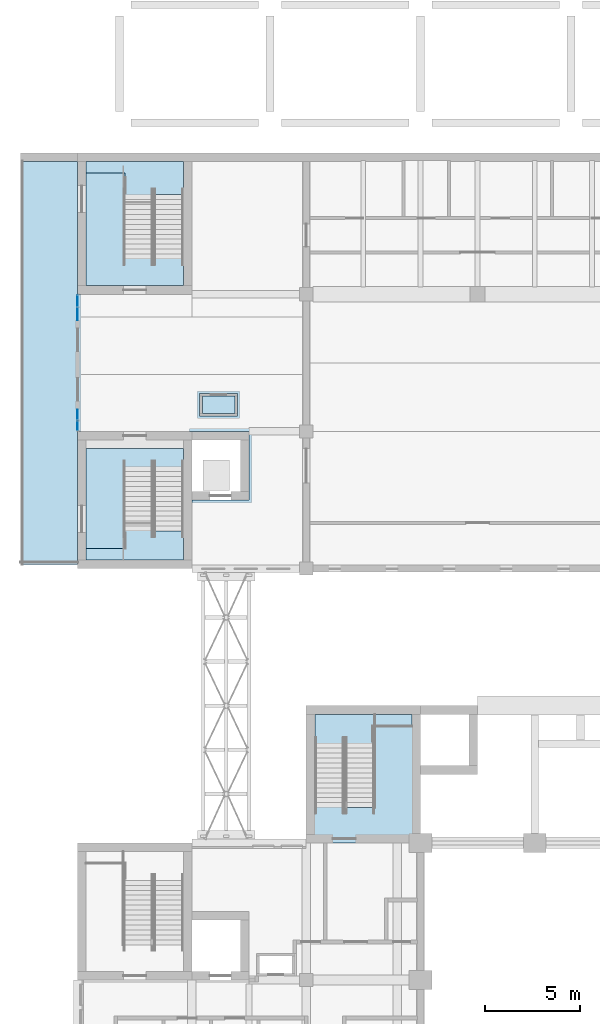
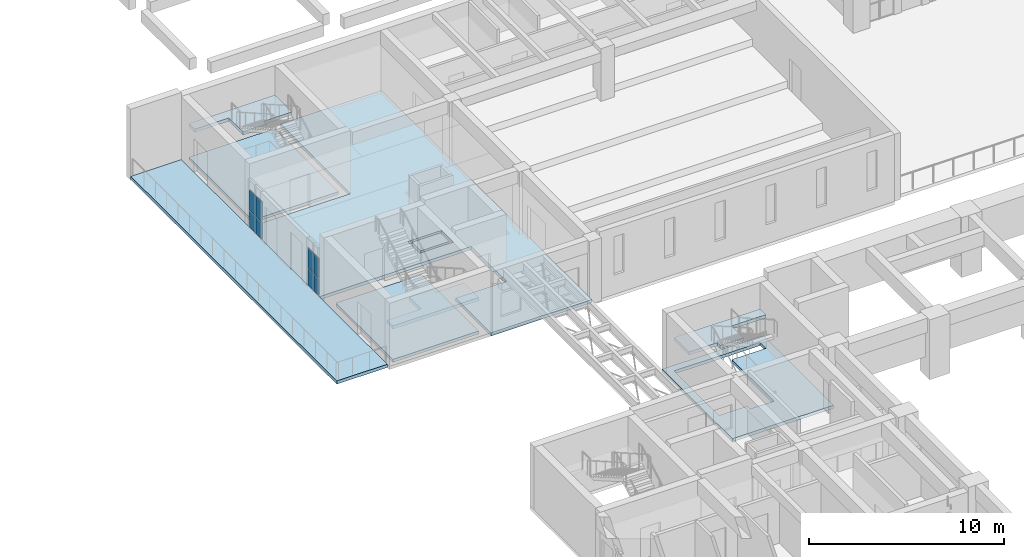
# One storey, part 48 of 103: 9 slabs, 8 plates, 5 elements without a shape of their own.
"""IFC4 building model written with IfcOpenShell, lengths in metres."""

from ifc_helpers import new_model, si_unit, direction, frame, origin, origin_2d, place, context, subcontext, project, spatial, polyline, rectangle, outline, extrude, material, layer, layer_set, type_object, element, aggregate, save


model = new_model("IFC4")

# Units and contexts
model_context = context("Model", 3, precision=1e-05, world=origin(), true_north=direction((0.0, 1.0)))
body_context = subcontext(model_context, "Body", "Model", "MODEL_VIEW")
ifc_project = project(units=[si_unit("LENGTHUNIT", "METRE"), si_unit("AREAUNIT", "SQUARE_METRE"), si_unit("VOLUMEUNIT", "CUBIC_METRE"), si_unit("PLANEANGLEUNIT", "RADIAN"), si_unit("MASSUNIT", "GRAM", prefix="KILO")], contexts=[model_context])

# Site, building, storey
site_placement = place(None, origin())
site = spatial("IfcSite", under=ifc_project, at=site_placement, CompositionType="ELEMENT")
building_placement = place(site_placement, origin())
building = spatial("IfcBuilding", under=site, at=building_placement, Name="Laocheng Heights Fire and Rescue Headquarters", CompositionType="ELEMENT")
storey_placement = place(building_placement, frame((0.0, 0.0, 4.199951171875)))
storey = spatial("IfcBuildingStorey", under=building, at=storey_placement, Name="L01", CompositionType="ELEMENT", Elevation=4.199951171875)

# Curtain wall, plates
ifc_material_1 = material(Name="Dark anodised aluminium unitised curtain wall, low-e double glazing", Category="aluminium")
curtain_wall_type_1 = type_object("IfcCurtainWallType", Name="CW 1150 x 3050 FOYER GLAZING", PredefinedType="NOTDEFINED", material=ifc_material_1)
curtain_wall_1_placement = place(storey_placement, origin())
curtain_wall_1 = element("IfcCurtainWall", 1, at=curtain_wall_1_placement, inside=storey, type_object=curtain_wall_type_1, Name="X1-V FOYER WEST L01", PredefinedType="NOTDEFINED")
ifc_material_2 = material(Name="Low-e double glazed unit, laminated inner pane")
ifc_layer_1 = layer(ifc_material_2, 0.028076171875)
ifc_layer_set_1 = layer_set([ifc_layer_1], Name="Low-e double glazed unit, laminated inner pane")
plate_type = type_object("IfcPlateType", Name="CW VISION PANEL 28 V", PredefinedType="CURTAIN_PANEL", material=ifc_layer_set_1)
plate_1_placement = place(storey_placement, frame((0.0, 43.50244140625, 0.050048828125), z_axis=(0.0, 0.0, 1.0), x_axis=(0.0, 1.0, 0.0)))
plate_1 = element("IfcPlate", 2, at=plate_1_placement, type_object=plate_type, Name="X1-V panel 1.1", PredefinedType="CURTAIN_PANEL", context=body_context, shape_type="SweptSolid", body=[
    extrude(rectangle(XDim=0.485107421875, YDim=0.028076171875, at=origin_2d()), origin(), (0.0, 0.0, 1.0), 1.02490234375),
])
plate_2_placement = place(storey_placement, frame((0.0, 43.50244140625, 1.125), z_axis=(0.0, 0.0, 1.0), x_axis=(0.0, 1.0, 0.0)))
plate_2 = element("IfcPlate", 3, at=plate_2_placement, type_object=plate_type, Name="X1-V panel 1.2", PredefinedType="CURTAIN_PANEL", context=body_context, shape_type="SweptSolid", body=[
    extrude(rectangle(XDim=0.485107421875, YDim=0.028076171875, at=origin_2d()), origin(), (0.0, 0.0, 1.0), 1.25),
])
plate_3_placement = place(storey_placement, frame((0.0, 44.077392578125, 0.050048828125), z_axis=(0.0, 0.0, 1.0), x_axis=(0.0, 1.0, 0.0)))
plate_3 = element("IfcPlate", 4, at=plate_3_placement, type_object=plate_type, Name="X1-V panel 2.1", PredefinedType="CURTAIN_PANEL", context=body_context, shape_type="SweptSolid", body=[
    extrude(rectangle(XDim=0.544921875, YDim=0.028076171875, at=origin_2d()), origin(), (0.0, 0.0, 1.0), 1.02490234375),
])
plate_4_placement = place(storey_placement, frame((0.0, 44.077392578125, 1.125), z_axis=(0.0, 0.0, 1.0), x_axis=(0.0, 1.0, 0.0)))
plate_4 = element("IfcPlate", 5, at=plate_4_placement, type_object=plate_type, Name="X1-V panel 2.2", PredefinedType="CURTAIN_PANEL", context=body_context, shape_type="SweptSolid", body=[
    extrude(rectangle(XDim=0.544921875, YDim=0.028076171875, at=origin_2d()), origin(), (0.0, 0.0, 1.0), 1.25),
])
aggregate(curtain_wall_1, [plate_1, plate_2, plate_3, plate_4])

ifc_material_3 = material(Name="Dark anodised aluminium unitised curtain wall, low-e double glazing", Category="aluminium")
curtain_wall_type_2 = type_object("IfcCurtainWallType", Name="CW 1350 x 3050 FOYER GLAZING", PredefinedType="NOTDEFINED", material=ifc_material_3)
curtain_wall_2_placement = place(storey_placement, origin())
curtain_wall_2 = element("IfcCurtainWall", 6, at=curtain_wall_2_placement, inside=storey, type_object=curtain_wall_type_2, Name="X2-V FOYER WEST L01", PredefinedType="NOTDEFINED")
plate_5_placement = place(storey_placement, frame((0.0, 49.37255859375, 0.050048828125), z_axis=(0.0, 0.0, 1.0), x_axis=(0.0, 1.0, 0.0)))
plate_5 = element("IfcPlate", 7, at=plate_5_placement, type_object=plate_type, Name="X2-V panel 1.1", PredefinedType="CURTAIN_PANEL", context=body_context, shape_type="SweptSolid", body=[
    extrude(rectangle(XDim=0.64501953125, YDim=0.028076171875, at=origin_2d()), origin(), (0.0, 0.0, 1.0), 1.02490234375),
])
plate_6_placement = place(storey_placement, frame((0.0, 49.37255859375, 1.125), z_axis=(0.0, 0.0, 1.0), x_axis=(0.0, 1.0, 0.0)))
plate_6 = element("IfcPlate", 8, at=plate_6_placement, type_object=plate_type, Name="X2-V panel 1.2", PredefinedType="CURTAIN_PANEL", context=body_context, shape_type="SweptSolid", body=[
    extrude(rectangle(XDim=0.64501953125, YDim=0.028076171875, at=origin_2d()), origin(), (0.0, 0.0, 1.0), 1.25),
])
plate_7_placement = place(storey_placement, frame((0.0, 50.047607421875, 0.050048828125), z_axis=(0.0, 0.0, 1.0), x_axis=(0.0, 1.0, 0.0)))
plate_7 = element("IfcPlate", 9, at=plate_7_placement, type_object=plate_type, Name="X2-V panel 2.1", PredefinedType="CURTAIN_PANEL", context=body_context, shape_type="SweptSolid", body=[
    extrude(rectangle(XDim=0.5849609375, YDim=0.028076171875, at=origin_2d()), origin(), (0.0, 0.0, 1.0), 1.02490234375),
])
plate_8_placement = place(storey_placement, frame((0.0, 50.047607421875, 1.125), z_axis=(0.0, 0.0, 1.0), x_axis=(0.0, 1.0, 0.0)))
plate_8 = element("IfcPlate", 10, at=plate_8_placement, type_object=plate_type, Name="X2-V panel 2.2", PredefinedType="CURTAIN_PANEL", context=body_context, shape_type="SweptSolid", body=[
    extrude(rectangle(XDim=0.5849609375, YDim=0.028076171875, at=origin_2d()), origin(), (0.0, 0.0, 1.0), 1.25),
])
aggregate(curtain_wall_2, [plate_5, plate_6, plate_7, plate_8])

# Slabs
ifc_material_4 = material(Name="Concrete C35", Category="concrete")
ifc_layer_2 = layer(ifc_material_4, 0.199951171875)
ifc_layer_set_2 = layer_set([ifc_layer_2], Name="Concrete C35")
slab_type_1 = type_object("IfcSlabType", Name="RC GROUND SLAB 200 FOYER", PredefinedType="BASESLAB", material=ifc_layer_set_2)
slab_1_placement = place(storey_placement, frame((0.0, 0.0, -0.199951171875)))
element("IfcSlab", 11, at=slab_1_placement, inside=storey, type_object=slab_type_1, Name="Foyer floor L01", PredefinedType="BASESLAB", context=body_context, shape_type="SweptSolid", body=[
    extrude(outline(polyline([(12.0, 57.60009765625), (6.0, 57.60009765625), (6.0, 50.39990234375), (0.0, 50.39990234375), (0.0, 43.199951171875), (9.0, 43.199951171875), (9.0, 39.60009765625), (6.0, 39.60009765625), (6.0, 36.0), (12.0, 36.0), (12.0, 57.60009765625)]), holes=[polyline([(8.39990234375, 45.199951171875), (8.39990234375, 44.0), (6.39990234375, 44.0), (6.39990234375, 45.199951171875), (8.39990234375, 45.199951171875)])]), origin(), (0.0, 0.0, 1.0), 0.199951171875),
])
ifc_material_5 = material(Name="Concrete C35", Category="concrete")
ifc_layer_3 = layer(ifc_material_5, 0.199951171875)
ifc_layer_set_3 = layer_set([ifc_layer_3], Name="Concrete C35")
slab_type_2 = type_object("IfcSlabType", Name="RC PAVING SLAB ON FILL 200 WEST PLAZA PAVING", PredefinedType="BASESLAB", material=ifc_layer_set_3)
slab_2_placement = place(storey_placement, frame((0.0, 0.0, -0.199951171875)))
element("IfcSlab", 12, at=slab_2_placement, inside=storey, type_object=slab_type_2, Name="Site slab SL5 West Plaza Paving", PredefinedType="BASESLAB", context=body_context, shape_type="SweptSolid", body=[
    extrude(outline(polyline([(0.0, 36.22509765625), (0.0, 57.375), (-3.0, 57.375), (-3.0, 36.22509765625), (0.0, 36.22509765625)])), origin(), (0.0, 0.0, 1.0), 0.199951171875),
])
ifc_material_6 = material(Name="Concrete C30", Category="concrete")
ifc_layer_4 = layer(ifc_material_6, 0.179931640625)
ifc_layer_set_4 = layer_set([ifc_layer_4], Name="Concrete C30")
slab_type_3 = type_object("IfcSlabType", Name="RISER FLOOR SLAB 180", PredefinedType="FLOOR", material=ifc_layer_set_4)
slab_3_placement = place(storey_placement, frame((0.0, 0.0, -0.179931640625)))
element("IfcSlab", 13, at=slab_3_placement, inside=storey, type_object=slab_type_3, Name="Riser floor slab RP1", PredefinedType="FLOOR", context=body_context, shape_type="SweptSolid", body=[
    extrude(outline(polyline([(6.550048828125, 45.050048828125), (6.550048828125, 44.14990234375), (8.25, 44.14990234375), (8.25, 45.050048828125), (6.550048828125, 45.050048828125)])), origin(), (0.0, 0.0, 1.0), 0.179931640625),
])

# Stair, slab
ifc_material_7 = material(Name="Concrete C40", Category="concrete")
stair_type = type_object("IfcStairType", Name="RC STAIR 1400 TWO FLIGHTS 28 RISERS OF 150 GOING 260", PredefinedType="HALF_TURN_STAIR", material=ifc_material_7)
stair_1_placement = place(storey_placement, origin())
stair_1 = element("IfcStair", 14, at=stair_1_placement, inside=storey, type_object=stair_type, Name="Stair P1 (L01 to L02)", PredefinedType="HALF_TURN_STAIR")
ifc_material_8 = material(Name="Concrete C40", Category="concrete")
ifc_layer_5 = layer(ifc_material_8, 0.179931640625)
ifc_layer_set_5 = layer_set([ifc_layer_5], Name="Concrete C40")
slab_type_4 = type_object("IfcSlabType", Name="STAIR FLOOR LANDING 180", PredefinedType="LANDING", material=ifc_layer_set_5)
slab_4_placement = place(storey_placement, frame((0.0, 0.0, -0.179931640625)))
slab_4 = element("IfcSlab", 15, at=slab_4_placement, type_object=slab_type_4, Name="Stair P1 floor landing L01", PredefinedType="LANDING", context=body_context, shape_type="SweptSolid", body=[
    extrude(outline(polyline([(5.550048828125, 42.300048828125), (5.550048828125, 36.449951171875), (0.449951171875, 36.449951171875), (0.449951171875, 42.300048828125), (5.550048828125, 42.300048828125)])), origin(), (0.0, 0.0, 1.0), 0.179931640625),
])

stair_2_placement = place(storey_placement, origin())
stair_2 = element("IfcStair", 16, at=stair_2_placement, inside=storey, type_object=stair_type, Name="Stair P2 (L01 to L02)", PredefinedType="HALF_TURN_STAIR")
slab_5_placement = place(storey_placement, frame((0.0, 0.0, -0.179931640625)))
slab_5 = element("IfcSlab", 17, at=slab_5_placement, type_object=slab_type_4, Name="Stair P2 floor landing L01", PredefinedType="LANDING", context=body_context, shape_type="SweptSolid", body=[
    extrude(outline(polyline([(5.550048828125, 50.85009765625), (0.449951171875, 50.85009765625), (0.449951171875, 57.375), (5.550048828125, 57.375), (5.550048828125, 50.85009765625)])), origin(), (0.0, 0.0, 1.0), 0.179931640625),
])

# Stair, slabs
stair_3_placement = place(storey_placement, origin())
stair_3 = element("IfcStair", 18, at=stair_3_placement, inside=storey, type_object=stair_type, Name="Stair G1 (L01 to L02)", PredefinedType="HALF_TURN_STAIR")
ifc_material_9 = material(Name="Concrete C40", Category="concrete")
ifc_layer_6 = layer(ifc_material_9, 0.199951171875)
ifc_layer_set_6 = layer_set([ifc_layer_6], Name="Concrete C40")
slab_type_5 = type_object("IfcSlabType", Name="STAIR FLOOR LANDING 200", PredefinedType="LANDING", material=ifc_layer_set_6)
slab_6_placement = place(storey_placement, frame((0.0, 0.0, -0.199951171875)))
slab_6 = element("IfcSlab", 19, at=slab_6_placement, type_object=slab_type_5, Name="Stair G1 floor landing L01", PredefinedType="LANDING", context=body_context, shape_type="SweptSolid", body=[
    extrude(outline(polyline([(12.0, 28.800048828125), (18.0, 28.800048828125), (18.0, 21.60009765625), (12.0, 21.60009765625), (12.0, 28.800048828125)]), holes=[polyline([(14.125, 23.750244140625), (14.125, 23.452880859375), (15.52490234375, 23.452880859375), (15.52490234375, 26.52978515625), (15.52490234375, 27.75), (17.550048828125, 27.75), (17.550048828125, 28.35009765625), (15.52490234375, 28.35009765625), (14.125, 28.35009765625), (12.449951171875, 28.35009765625), (12.449951171875, 26.826904296875), (12.449951171875, 23.750244140625), (14.125, 23.750244140625)])]), origin(), (0.0, 0.0, 1.0), 0.199951171875),
])
ifc_material_10 = material(Name="Concrete C40", Category="concrete")
ifc_layer_7 = layer(ifc_material_10, 0.201904296875)
ifc_layer_set_7 = layer_set([ifc_layer_7], Name="Concrete C40")
slab_type_6 = type_object("IfcSlabType", Name="STAIR HALF LANDING 202", PredefinedType="LANDING", material=ifc_layer_set_7)
slab_7_placement = place(storey_placement, frame((0.0, 0.0, 1.900146484375)))
slab_7 = element("IfcSlab", 20, at=slab_7_placement, type_object=slab_type_6, Name="G1-L01 landing 1", PredefinedType="LANDING", context=body_context, shape_type="SweptSolid", body=[
    extrude(outline(polyline([(17.550048828125, 27.75), (17.550048828125, 28.35009765625), (15.52490234375, 28.35009765625), (14.125, 28.35009765625), (12.449951171875, 28.35009765625), (12.449951171875, 26.826904296875), (14.125, 26.826904296875), (14.125, 26.52978515625), (15.52490234375, 26.52978515625), (15.52490234375, 27.75), (17.550048828125, 27.75)])), origin(), (0.0, 0.0, 1.0), 0.201904296875),
])
aggregate(stair_3, [slab_7, slab_6])

# Slab
slab_8_placement = place(storey_placement, frame((0.0, 0.0, 1.900146484375)))
slab_8 = element("IfcSlab", 21, at=slab_8_placement, type_object=slab_type_6, Name="P1-L01 landing 1", PredefinedType="LANDING", context=body_context, shape_type="SweptSolid", body=[
    extrude(outline(polyline([(0.449951171875, 37.050048828125), (0.449951171875, 36.449951171875), (2.47509765625, 36.449951171875), (3.875, 36.449951171875), (5.550048828125, 36.449951171875), (5.550048828125, 37.972900390625), (3.875, 37.972900390625), (3.875, 38.270263671875), (2.47509765625, 38.270263671875), (2.47509765625, 37.050048828125), (0.449951171875, 37.050048828125)])), origin(), (0.0, 0.0, 1.0), 0.201904296875),
])

aggregate(stair_1, [slab_8, slab_4])

slab_9_placement = place(storey_placement, frame((0.0, 0.0, 1.900146484375)))
slab_9 = element("IfcSlab", 22, at=slab_9_placement, type_object=slab_type_6, Name="P2-L01 landing 1", PredefinedType="LANDING", context=body_context, shape_type="SweptSolid", body=[
    extrude(outline(polyline([(0.449951171875, 56.77490234375), (0.449951171875, 57.375), (2.47509765625, 57.375), (3.875, 57.375), (5.550048828125, 57.375), (5.550048828125, 55.626953125), (3.875, 55.626953125), (3.875, 55.329833984375), (2.47509765625, 55.329833984375), (2.47509765625, 56.77490234375), (0.449951171875, 56.77490234375)])), origin(), (0.0, 0.0, 1.0), 0.201904296875),
])

aggregate(stair_2, [slab_9, slab_5])

save(model, "model.ifc")
